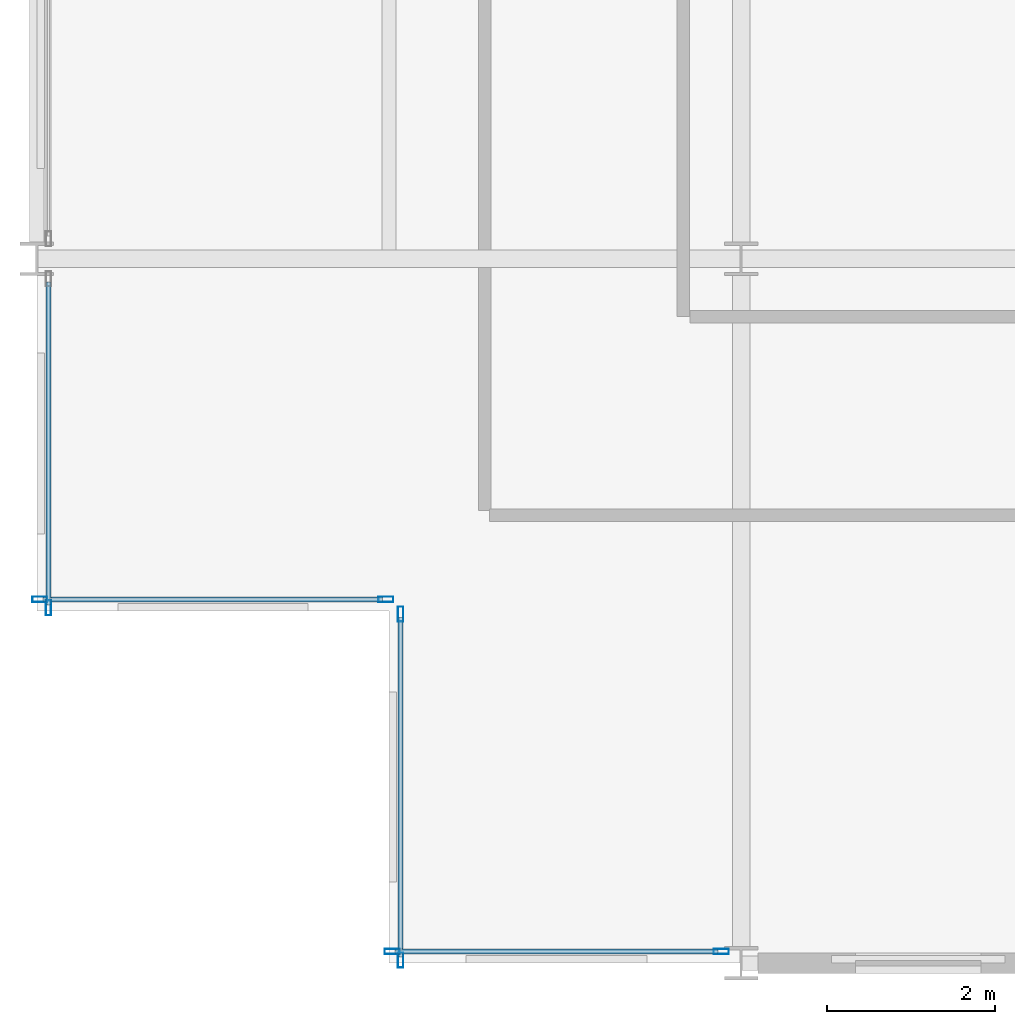
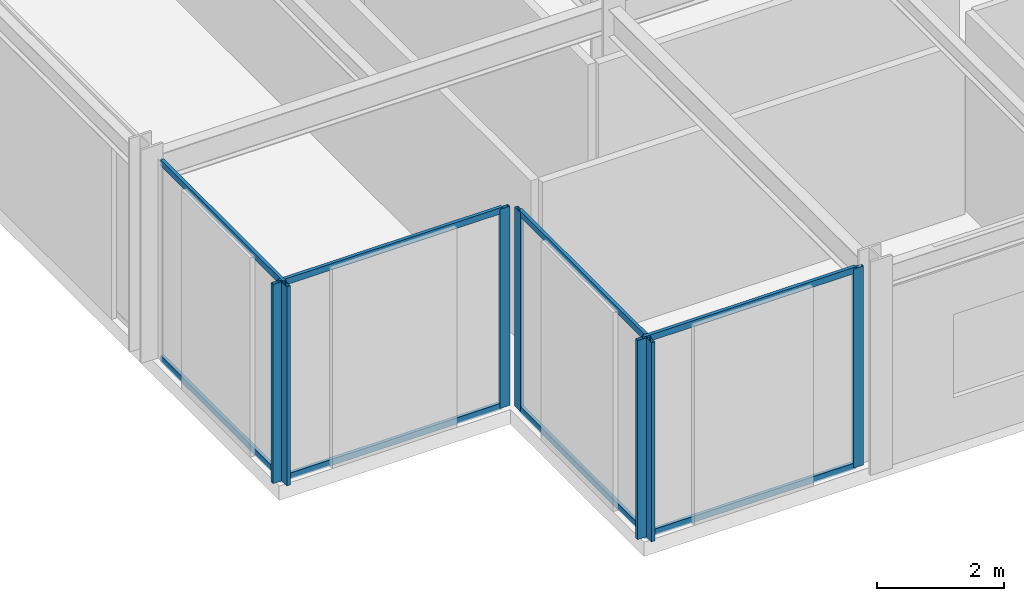
# One storey, part 4 of 38: 15 members, 4 elements without a shape of their own.
"""IFC4 building model written with IfcOpenShell, lengths in metres."""

import ifcopenshell
import ifcopenshell.guid

model = None  # the IFC model being written
_history = None  # IfcOwnerHistory: only IFC2X3 demands one
_inside = {}  # id of a spatial element -> (the spatial element, [elements in it])
_under = {}  # id of a project, library or spatial element -> (it, [spatial elements below it])
_declared = {}  # id of a project -> (the project, [libraries it declares])
_typed = {}  # id of a type object -> (the type object, [elements of that type])
_made_of = {}  # id of a material, layer set ... -> (it, [elements and type objects made of it])


def new_model(schema):
    """Start an empty IFC model of exactly this schema.

    Asked for "IFC4X3", IfcOpenShell would pick the latest addendum, in which some entities
    have other attributes; the version numbers below select the first issue.
    IFC2X3 requires an IfcOwnerHistory on every rooted entity: one is made here for all.
    """
    global model, _history
    if schema == "IFC4X3":
        model = ifcopenshell.file(schema_version=(4, 3, 0, 0))
    else:
        model = ifcopenshell.file(schema=schema)
    _inside.clear()
    _under.clear()
    _declared.clear()
    _typed.clear()
    _made_of.clear()
    _history = None
    if model.schema == "IFC2X3":
        org = make("IfcOrganization", Name="unknown")
        user = make(
            "IfcPersonAndOrganization",
            ThePerson=make("IfcPerson", FamilyName="unknown"),
            TheOrganization=org,
        )
        app = make(
            "IfcApplication",
            ApplicationDeveloper=org,
            Version="unknown",
            ApplicationFullName="unknown",
            ApplicationIdentifier="unknown",
        )
        _history = make(
            "IfcOwnerHistory",
            OwningUser=user,
            OwningApplication=app,
            ChangeAction="ADDED",
            CreationDate=0,
        )
    return model


def make(cls, **values):
    """One entity of the class cls with the attributes given. An attribute that is None is left unset."""
    return model.create_entity(
        cls, **{name: value for name, value in values.items() if value is not None}
    )


def rooted(cls, **values):
    """An entity with a GlobalId (a new one), such as an element, a storey or a relation."""
    return make(cls, GlobalId=ifcopenshell.guid.new(), OwnerHistory=_history, **values)


def si_unit(unit_type, name, prefix=None):
    """IfcSIUnit, for example si_unit("LENGTHUNIT", "METRE", prefix="MILLI")."""
    return make("IfcSIUnit", UnitType=unit_type, Prefix=prefix, Name=name)


def assignment(units):
    """IfcUnitAssignment: the units of a project."""
    return None if units is None else make("IfcUnitAssignment", Units=units)


def point(xyz):
    """IfcCartesianPoint."""
    return None if xyz is None else make("IfcCartesianPoint", Coordinates=xyz)


def direction(xyz):
    """IfcDirection."""
    return None if xyz is None else make("IfcDirection", DirectionRatios=xyz)


def frame(location, z_axis=None, x_axis=None):
    """IfcAxis2Placement3D, a coordinate frame: its origin and axes. An axis left out is left unset."""
    return make(
        "IfcAxis2Placement3D",
        Location=point(location),
        Axis=direction(z_axis),
        RefDirection=direction(x_axis),
    )


def frame_2d(location, x_axis=None):
    """IfcAxis2Placement2D, a coordinate frame in the plane: its origin and x axis."""
    return make(
        "IfcAxis2Placement2D", Location=point(location), RefDirection=direction(x_axis)
    )


def origin():
    """The frame at (0, 0, 0) with its axes left unset."""
    return frame((0.0, 0.0, 0.0))


def origin_2d():
    """The frame at (0, 0) in the plane with its x axis left unset."""
    return frame_2d((0.0, 0.0))


def place(relative_to, where):
    """IfcLocalPlacement: puts the frame where relative to a parent placement (None: the world)."""
    return make(
        "IfcLocalPlacement", PlacementRelTo=relative_to, RelativePlacement=where
    )


def context(
    kind, dimensions, precision=None, world=None, true_north=None, identifier=None
):
    """IfcGeometricRepresentationContext, for example the 3D "Model" context."""
    return make(
        "IfcGeometricRepresentationContext",
        ContextIdentifier=identifier,
        ContextType=kind,
        CoordinateSpaceDimension=dimensions,
        Precision=precision,
        WorldCoordinateSystem=world,
        TrueNorth=true_north,
    )


def subcontext(parent, identifier, kind, view, scale=None):
    """IfcGeometricRepresentationSubContext, for example "Body" below "Model"."""
    return make(
        "IfcGeometricRepresentationSubContext",
        ContextIdentifier=identifier,
        ContextType=kind,
        ParentContext=parent,
        TargetScale=scale,
        TargetView=view,
    )


def project(units=None, contexts=None):
    """IfcProject with its units and contexts."""
    return rooted(
        "IfcProject",
        Name="project",
        RepresentationContexts=contexts,
        UnitsInContext=assignment(units),
    )


def spatial(cls, under=None, at=None, **own):
    """A site, building, storey or space (cls), placed at a placement, below another one or the project."""
    s = rooted(cls, ObjectPlacement=at, **own)
    if under is not None:
        _under.setdefault(under.id(), (under, []))[1].append(s)
    return s


def profile(cls, at=None, kind="AREA", **sizes):
    """A parametric profile (cls). Its sizes go by their IFC names, for example OverallWidth=200.0."""
    return make(cls, ProfileType=kind, Position=at, **sizes)


def hollow_rectangle(**sizes):
    """IfcRectangleHollowProfileDef."""
    return profile("IfcRectangleHollowProfileDef", **sizes)


def extrude(swept, where, along, depth):
    """IfcExtrudedAreaSolid: the profile swept, set in the frame where, extruded along a direction by depth."""
    return make(
        "IfcExtrudedAreaSolid",
        SweptArea=swept,
        Position=where,
        ExtrudedDirection=direction(along),
        Depth=depth,
    )


def shape(context_of_items, identifier, shape_type, items):
    """IfcShapeRepresentation: the items that make up one representation, for example the "Body"."""
    return make(
        "IfcShapeRepresentation",
        ContextOfItems=context_of_items,
        RepresentationIdentifier=identifier,
        RepresentationType=shape_type,
        Items=items,
    )


def material(Name=None, Category=None):
    """IfcMaterial."""
    return make("IfcMaterial", Name=Name, Category=Category)


def layer(
    of_material, thickness, ventilated=None, Name=None, Category=None, Priority=None
):
    """IfcMaterialLayer: one layer of a wall or slab, of a material (None: an air gap)."""
    return make(
        "IfcMaterialLayer",
        Material=of_material,
        LayerThickness=thickness,
        IsVentilated=ventilated,
        Name=Name,
        Category=Category,
        Priority=Priority,
    )


def layer_set(layers, Name=None):
    """IfcMaterialLayerSet."""
    return make("IfcMaterialLayerSet", MaterialLayers=layers, LayerSetName=Name)


def material_profile(
    of_material, cross_section, Name=None, Category=None, Priority=None
):
    """IfcMaterialProfile: a cross section and its material."""
    return make(
        "IfcMaterialProfile",
        Name=Name,
        Material=of_material,
        Profile=cross_section,
        Priority=Priority,
        Category=Category,
    )


def profile_set(profiles, Name=None, composite=None):
    """IfcMaterialProfileSet."""
    return make(
        "IfcMaterialProfileSet",
        Name=Name,
        MaterialProfiles=profiles,
        CompositeProfile=composite,
    )


def made_of(thing, what):
    """Note that an element or type object is made of a material, layer set ...; save() writes the relation."""
    if what is not None:
        _made_of.setdefault(what.id(), (what, []))[1].append(thing)
    return thing


def type_object(cls, material=None, **own):
    """A type object (cls), such as IfcWallType, which elements share."""
    return made_of(rooted(cls, **own), material)


def element(
    cls,
    number,
    at=None,
    inside=None,
    cuts=None,
    type_object=None,
    material=None,
    context=None,
    identifier="Body",
    shape_type=None,
    held_by="IfcProductDefinitionShape",
    body=None,
    shapes=None,
    **own,
):
    """One element of the class cls, such as IfcWall. Its Tag is "e" and its number.

    at: its placement. inside: the storey or other place that contains it. cuts: it is an
    opening in that element (IfcRelVoidsElement). A single representation is given by context,
    identifier, shape_type and body (its items); several are given by shapes. held_by: the class
    of the entity that holds the representations. save() writes the other relations.
    """
    e = rooted(cls, Tag="e%d" % number, ObjectPlacement=at, **own)
    if body is not None:
        shapes = [shape(context, identifier, shape_type, body)]
    if shapes is not None:
        e.Representation = make(held_by, Representations=shapes)
    if inside is not None:
        _inside.setdefault(inside.id(), (inside, []))[1].append(e)
    if cuts is not None:
        rooted(
            "IfcRelVoidsElement", RelatingBuildingElement=cuts, RelatedOpeningElement=e
        )
    if type_object is not None:
        _typed.setdefault(type_object.id(), (type_object, []))[1].append(e)
    return made_of(e, material)


def aggregate(whole, parts):
    """IfcRelAggregates: a whole, such as a stair, and the parts it consists of."""
    return rooted("IfcRelAggregates", RelatingObject=whole, RelatedObjects=parts)


def save(model, path):
    """Write the relations noted so far, then the file.

    IfcRelAggregates (storeys below a building ...), IfcRelContainedInSpatialStructure (elements
    in a storey), IfcRelDefinesByType, IfcRelAssociatesMaterial and IfcRelDeclares: one each for
    every whole, place, type object, material and project.
    """
    for whole, parts in _under.values():
        aggregate(whole, parts)
    for where, things in _inside.values():
        rooted(
            "IfcRelContainedInSpatialStructure",
            RelatedElements=things,
            RelatingStructure=where,
        )
    for kind, things in _typed.values():
        rooted("IfcRelDefinesByType", RelatedObjects=things, RelatingType=kind)
    for what, things in _made_of.values():
        rooted("IfcRelAssociatesMaterial", RelatedObjects=things, RelatingMaterial=what)
    for by, libraries in _declared.values():
        rooted("IfcRelDeclares", RelatingContext=by, RelatedDefinitions=libraries)
    model.write(path)


model = new_model("IFC4")

# Units and contexts
model_context = context("Model", 3, precision=1e-05, world=origin(), true_north=direction((0.0, 1.0)))
body_context = subcontext(model_context, "Body", "Model", "MODEL_VIEW")
ifc_project = project(units=[si_unit("LENGTHUNIT", "METRE"), si_unit("AREAUNIT", "SQUARE_METRE"), si_unit("VOLUMEUNIT", "CUBIC_METRE"), si_unit("PLANEANGLEUNIT", "RADIAN"), si_unit("MASSUNIT", "GRAM", prefix="KILO")], contexts=[model_context])

# Site, building, storey
site_placement = place(None, origin())
site = spatial("IfcSite", under=ifc_project, at=site_placement, CompositionType="ELEMENT")
building_placement = place(site_placement, origin())
building = spatial("IfcBuilding", under=site, at=building_placement, Name="Nerrivon Quay Data Exchange", CompositionType="ELEMENT")
storey_placement = place(building_placement, frame((0.0, 0.0, 88.5)))
storey = spatial("IfcBuildingStorey", under=building, at=storey_placement, Name="L20", CompositionType="ELEMENT", Elevation=88.5)

# Curtain wall, members
ifc_material = material(Name="Anodised aluminium 6063-T6", Category="aluminium")
ifc_layer = layer(ifc_material, 0.2099609375)
ifc_layer_set = layer_set([ifc_layer], Name="Anodised aluminium 6063-T6")
curtain_wall_type = type_object("IfcCurtainWallType", Name="CW-SYS-02", PredefinedType="NOTDEFINED", material=ifc_layer_set)
curtain_wall_1_placement = place(storey_placement, origin())
curtain_wall_1 = element("IfcCurtainWall", 1, at=curtain_wall_1_placement, inside=storey, type_object=curtain_wall_type, Name="L20 Unitised Curtain Wall 14", PredefinedType="NOTDEFINED")
ifc_material_profile_1 = material_profile(ifc_material, hollow_rectangle(XDim=0.06494140625, YDim=0.179931640625, WallThickness=0.00341796875, at=origin_2d()), Name="ALU-MULL-180x65")
ifc_profile_set_1 = profile_set([ifc_material_profile_1], Name="Anodised aluminium 6063-T6")
member_type_1 = type_object("IfcMemberType", Name="CWM-180x65", PredefinedType="MULLION", material=ifc_profile_set_1)
member_1_placement = place(storey_placement, frame((8.16259765625, 0.139892578125, 0.0), z_axis=(0.0, 0.0, 1.0), x_axis=(0.0, -1.0, 0.0)))
member_1 = element("IfcMember", 2, at=member_1_placement, type_object=member_type_1, Name="CW02 mullion 1", PredefinedType="MULLION", context=body_context, shape_type="SweptSolid", body=[
    extrude(hollow_rectangle(XDim=0.06494140625, YDim=0.179931640625, WallThickness=0.00341796875, at=origin_2d()), origin(), (0.0, 0.0, 1.0), 3.824951171875),
])
member_2_placement = place(storey_placement, frame((4.237548828125, 0.139892578125, 0.0), z_axis=(0.0, 0.0, 1.0), x_axis=(0.0, -1.0, 0.0)))
member_2 = element("IfcMember", 3, at=member_2_placement, type_object=member_type_1, Name="CW02 mullion 2", PredefinedType="MULLION", context=body_context, shape_type="SweptSolid", body=[
    extrude(hollow_rectangle(XDim=0.06494140625, YDim=0.179931640625, WallThickness=0.00341796875, at=origin_2d()), origin(), (0.0, 0.0, 1.0), 3.824951171875),
])

curtain_wall_2_placement = place(storey_placement, origin())
curtain_wall_2 = element("IfcCurtainWall", 4, at=curtain_wall_2_placement, inside=storey, type_object=curtain_wall_type, Name="L20 Unitised Curtain Wall 15", PredefinedType="NOTDEFINED")
member_3_placement = place(storey_placement, frame((4.340087890625, 0.03759765625, 0.0), z_axis=(0.0, 0.0, 1.0), x_axis=(-1.0, 0.0, 0.0)))
member_3 = element("IfcMember", 5, at=member_3_placement, type_object=member_type_1, Name="CW02 mullion 1", PredefinedType="MULLION", context=body_context, shape_type="SweptSolid", body=[
    extrude(hollow_rectangle(XDim=0.06494140625, YDim=0.179931640625, WallThickness=0.00341796875, at=origin_2d()), origin(), (0.0, 0.0, 1.0), 3.824951171875),
])
member_4_placement = place(storey_placement, frame((4.340087890625, 4.16259765625, 0.0), z_axis=(0.0, 0.0, 1.0), x_axis=(-1.0, 0.0, 0.0)))
member_4 = element("IfcMember", 6, at=member_4_placement, type_object=member_type_1, Name="CW02 mullion 2", PredefinedType="MULLION", context=body_context, shape_type="SweptSolid", body=[
    extrude(hollow_rectangle(XDim=0.06494140625, YDim=0.179931640625, WallThickness=0.00341796875, at=origin_2d()), origin(), (0.0, 0.0, 1.0), 3.824951171875),
])

curtain_wall_3_placement = place(storey_placement, origin())
curtain_wall_3 = element("IfcCurtainWall", 7, at=curtain_wall_3_placement, inside=storey, type_object=curtain_wall_type, Name="L20 Unitised Curtain Wall 16", PredefinedType="NOTDEFINED")
member_5_placement = place(storey_placement, frame((4.16259765625, 4.340087890625, 0.0), z_axis=(0.0, 0.0, 1.0), x_axis=(0.0, -1.0, 0.0)))
member_5 = element("IfcMember", 8, at=member_5_placement, type_object=member_type_1, Name="CW02 mullion 1", PredefinedType="MULLION", context=body_context, shape_type="SweptSolid", body=[
    extrude(hollow_rectangle(XDim=0.06494140625, YDim=0.179931640625, WallThickness=0.00341796875, at=origin_2d()), origin(), (0.0, 0.0, 1.0), 3.824951171875),
])
member_6_placement = place(storey_placement, frame((0.03759765625, 4.340087890625, 0.0), z_axis=(0.0, 0.0, 1.0), x_axis=(0.0, -1.0, 0.0)))
member_6 = element("IfcMember", 9, at=member_6_placement, type_object=member_type_1, Name="CW02 mullion 2", PredefinedType="MULLION", context=body_context, shape_type="SweptSolid", body=[
    extrude(hollow_rectangle(XDim=0.06494140625, YDim=0.179931640625, WallThickness=0.00341796875, at=origin_2d()), origin(), (0.0, 0.0, 1.0), 3.824951171875),
])

# Curtain wall, member
curtain_wall_4_placement = place(storey_placement, origin())
curtain_wall_4 = element("IfcCurtainWall", 10, at=curtain_wall_4_placement, inside=storey, type_object=curtain_wall_type, Name="L20 Unitised Curtain Wall 17", PredefinedType="NOTDEFINED")
member_7_placement = place(storey_placement, frame((0.139892578125, 4.237548828125, 0.0), z_axis=(0.0, 0.0, 1.0), x_axis=(-1.0, 0.0, 0.0)))
member_7 = element("IfcMember", 11, at=member_7_placement, type_object=member_type_1, Name="CW02 mullion 1", PredefinedType="MULLION", context=body_context, shape_type="SweptSolid", body=[
    extrude(hollow_rectangle(XDim=0.06494140625, YDim=0.179931640625, WallThickness=0.00341796875, at=origin_2d()), origin(), (0.0, 0.0, 1.0), 3.824951171875),
])

# Member
ifc_material_profile_2 = material_profile(ifc_material, hollow_rectangle(XDim=0.06005859375, YDim=0.1201171875, WallThickness=0.003173828125, at=origin_2d()), Name="ALU-TRAN-120x60")
ifc_profile_set_2 = profile_set([ifc_material_profile_2], Name="Anodised aluminium 6063-T6")
member_type_2 = type_object("IfcMemberType", Name="CWT-120x60", PredefinedType="USERDEFINED", material=ifc_profile_set_2)
member_8_placement = place(storey_placement, frame((8.125, 0.139892578125, 0.032470703125), z_axis=(-1.0, 0.0, 0.0), x_axis=(0.0, -1.0, 0.0)))
member_8 = element("IfcMember", 12, at=member_8_placement, type_object=member_type_2, Name="CW02 transom 1.1", ObjectType="TRANSOM", PredefinedType="USERDEFINED", context=body_context, shape_type="SweptSolid", body=[
    extrude(hollow_rectangle(XDim=0.06005859375, YDim=0.1201171875, WallThickness=0.003173828125, at=origin_2d()), origin(), (0.0, 0.0, 1.0), 3.85009765625),
])

member_9_placement = place(storey_placement, frame((8.125, 0.139892578125, 3.79248046875), z_axis=(-1.0, 0.0, 0.0), x_axis=(0.0, -1.0, 0.0)))
member_9 = element("IfcMember", 13, at=member_9_placement, type_object=member_type_2, Name="CW02 transom 1.2", ObjectType="TRANSOM", PredefinedType="USERDEFINED", context=body_context, shape_type="SweptSolid", body=[
    extrude(hollow_rectangle(XDim=0.06005859375, YDim=0.1201171875, WallThickness=0.003173828125, at=origin_2d()), origin(), (0.0, 0.0, 1.0), 3.85009765625),
])

aggregate(curtain_wall_1, [member_1, member_2, member_8, member_9])

member_10_placement = place(storey_placement, frame((4.340087890625, 0.074951171875, 0.032470703125), z_axis=(0.0, 1.0, 0.0), x_axis=(-1.0, 0.0, 0.0)))
member_10 = element("IfcMember", 14, at=member_10_placement, type_object=member_type_2, Name="CW02 transom 1.1", ObjectType="TRANSOM", PredefinedType="USERDEFINED", context=body_context, shape_type="SweptSolid", body=[
    extrude(hollow_rectangle(XDim=0.06005859375, YDim=0.1201171875, WallThickness=0.003173828125, at=origin_2d()), origin(), (0.0, 0.0, 1.0), 4.050048828125),
])

member_11_placement = place(storey_placement, frame((4.340087890625, 0.074951171875, 3.79248046875), z_axis=(0.0, 1.0, 0.0), x_axis=(-1.0, 0.0, 0.0)))
member_11 = element("IfcMember", 15, at=member_11_placement, type_object=member_type_2, Name="CW02 transom 1.2", ObjectType="TRANSOM", PredefinedType="USERDEFINED", context=body_context, shape_type="SweptSolid", body=[
    extrude(hollow_rectangle(XDim=0.06005859375, YDim=0.1201171875, WallThickness=0.003173828125, at=origin_2d()), origin(), (0.0, 0.0, 1.0), 4.050048828125),
])

aggregate(curtain_wall_2, [member_3, member_4, member_10, member_11])

member_12_placement = place(storey_placement, frame((4.125, 4.340087890625, 0.032470703125), z_axis=(-1.0, 0.0, 0.0), x_axis=(0.0, -1.0, 0.0)))
member_12 = element("IfcMember", 16, at=member_12_placement, type_object=member_type_2, Name="CW02 transom 1.1", ObjectType="TRANSOM", PredefinedType="USERDEFINED", context=body_context, shape_type="SweptSolid", body=[
    extrude(hollow_rectangle(XDim=0.06005859375, YDim=0.1201171875, WallThickness=0.003173828125, at=origin_2d()), origin(), (0.0, 0.0, 1.0), 4.050048828125),
])

member_13_placement = place(storey_placement, frame((4.125, 4.340087890625, 3.79248046875), z_axis=(-1.0, 0.0, 0.0), x_axis=(0.0, -1.0, 0.0)))
member_13 = element("IfcMember", 17, at=member_13_placement, type_object=member_type_2, Name="CW02 transom 1.2", ObjectType="TRANSOM", PredefinedType="USERDEFINED", context=body_context, shape_type="SweptSolid", body=[
    extrude(hollow_rectangle(XDim=0.06005859375, YDim=0.1201171875, WallThickness=0.003173828125, at=origin_2d()), origin(), (0.0, 0.0, 1.0), 4.050048828125),
])

aggregate(curtain_wall_3, [member_5, member_6, member_12, member_13])

member_14_placement = place(storey_placement, frame((0.139892578125, 4.27490234375, 0.032470703125), z_axis=(0.0, 1.0, 0.0), x_axis=(-1.0, 0.0, 0.0)))
member_14 = element("IfcMember", 18, at=member_14_placement, type_object=member_type_2, Name="CW02 transom 1.1", ObjectType="TRANSOM", PredefinedType="USERDEFINED", context=body_context, shape_type="SweptSolid", body=[
    extrude(hollow_rectangle(XDim=0.06005859375, YDim=0.1201171875, WallThickness=0.003173828125, at=origin_2d()), origin(), (0.0, 0.0, 1.0), 3.85009765625),
])

member_15_placement = place(storey_placement, frame((0.139892578125, 4.27490234375, 3.79248046875), z_axis=(0.0, 1.0, 0.0), x_axis=(-1.0, 0.0, 0.0)))
member_15 = element("IfcMember", 19, at=member_15_placement, type_object=member_type_2, Name="CW02 transom 1.2", ObjectType="TRANSOM", PredefinedType="USERDEFINED", context=body_context, shape_type="SweptSolid", body=[
    extrude(hollow_rectangle(XDim=0.06005859375, YDim=0.1201171875, WallThickness=0.003173828125, at=origin_2d()), origin(), (0.0, 0.0, 1.0), 3.85009765625),
])

aggregate(curtain_wall_4, [member_7, member_14, member_15])

save(model, "model.ifc")
